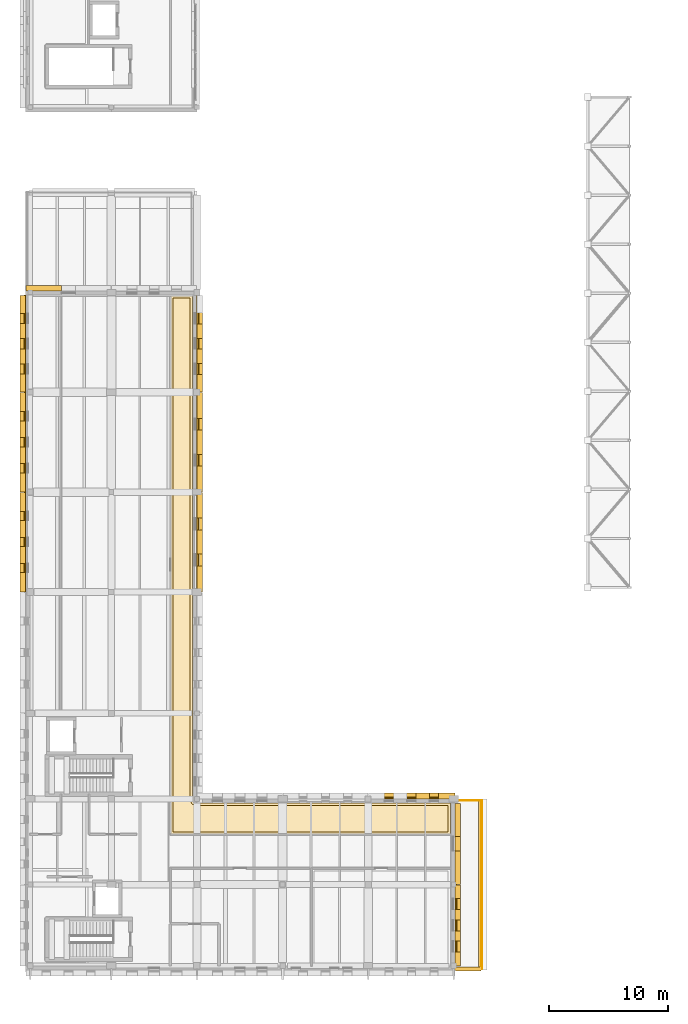
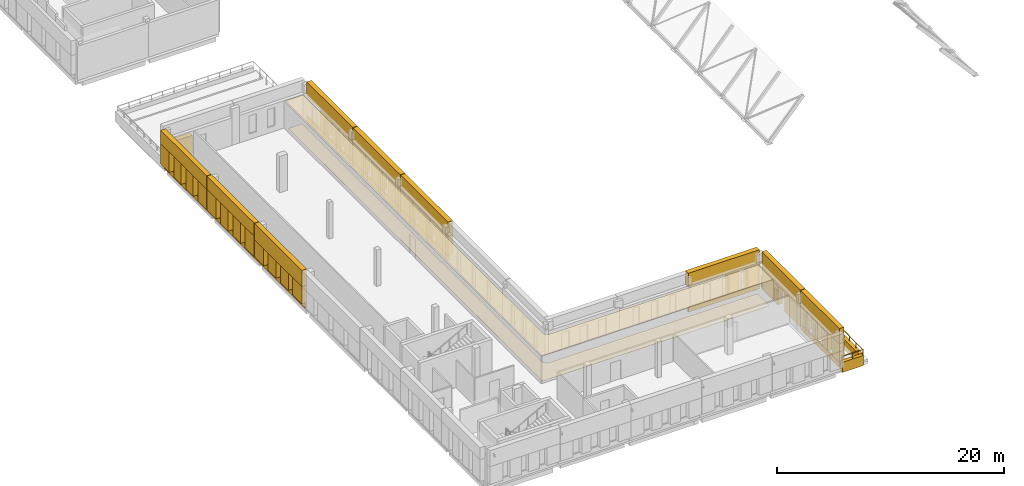
# One storey, part 30 of 34: 51 coverings, 1 railing.
"""IFC4 building model written with IfcOpenShell, lengths in metres."""

from ifc_helpers import new_model, si_unit, direction, frame, origin, origin_2d, place, context, subcontext, project, spatial, polyline, circle, outline, extrude, material, layer, layer_set, type_object, element, save


model = new_model("IFC4")

# Units and contexts
model_context = context("Model", 3, precision=1e-05, world=origin(), true_north=direction((0.0, 1.0)))
body_context = subcontext(model_context, "Body", "Model", "MODEL_VIEW")
ifc_project = project(units=[si_unit("LENGTHUNIT", "METRE"), si_unit("AREAUNIT", "SQUARE_METRE"), si_unit("VOLUMEUNIT", "CUBIC_METRE"), si_unit("PLANEANGLEUNIT", "RADIAN"), si_unit("MASSUNIT", "GRAM", prefix="KILO")], contexts=[model_context])

# Site, building, storey
site_placement = place(None, origin())
site = spatial("IfcSite", under=ifc_project, at=site_placement, CompositionType="ELEMENT")
building_placement = place(site_placement, origin())
building = spatial("IfcBuilding", under=site, at=building_placement, Name="Vardoun Plaza Health Centre", CompositionType="ELEMENT")
storey_placement = place(building_placement, frame((0.0, 0.0, 12.89990234375)))
storey = spatial("IfcBuildingStorey", under=building, at=storey_placement, Name="L03", CompositionType="ELEMENT", Elevation=12.89990234375)

# Coverings
ifc_material_1 = material(Name="Hygienic Acoustic Mineral-Fibre Ceiling", Category="concrete")
ifc_layer_1 = layer(ifc_material_1, 0.02490234375)
ifc_layer_set_1 = layer_set([ifc_layer_1], Name="Hygienic Acoustic Mineral-Fibre Ceiling")
covering_type_1 = type_object("IfcCoveringType", Name="CL-01", PredefinedType="CEILING", material=ifc_layer_set_1)
covering_1_placement = place(storey_placement, frame((0.0, 0.0, 2.880126953125)))
element("IfcCovering", 1, at=covering_1_placement, inside=storey, type_object=covering_type_1, Name="Specialist Consulting Room 32 Acoustic Ceiling", PredefinedType="CEILING", context=body_context, shape_type="SweptSolid", body=[
    extrude(outline(polyline([(18.5400390625, 61.239990234375), (18.5400390625, 18.89990234375), (18.5400390625, 18.8994140625), (18.541748046875, 18.865234375), (18.541748046875, 18.8642578125), (18.546875, 18.830078125), (18.547119140625, 18.829345703125), (18.555419921875, 18.7958984375), (18.5556640625, 18.794921875), (18.567138671875, 18.7626953125), (18.567626953125, 18.76171875), (18.582275390625, 18.730712890625), (18.582763671875, 18.729736328125), (18.600341796875, 18.700439453125), (18.60107421875, 18.69970703125), (18.621337890625, 18.672119140625), (18.6220703125, 18.67138671875), (18.64501953125, 18.645751953125), (18.645751953125, 18.64501953125), (18.67138671875, 18.6220703125), (18.672119140625, 18.621337890625), (18.69970703125, 18.60107421875), (18.700439453125, 18.600341796875), (18.729736328125, 18.582763671875), (18.730712890625, 18.582275390625), (18.76171875, 18.567626953125), (18.7626953125, 18.567138671875), (18.794921875, 18.5556640625), (18.7958984375, 18.555419921875), (18.829345703125, 18.547119140625), (18.830078125, 18.546875), (18.8642578125, 18.541748046875), (18.865234375, 18.541748046875), (18.8994140625, 18.5400390625), (18.89990234375, 18.5400390625), (40.239990234375, 18.5400390625), (40.239990234375, 15.929931640625), (16.679931640625, 15.929931640625), (16.679931640625, 61.239990234375), (18.5400390625, 61.239990234375)])), origin(), (0.0, 0.0, 1.0), 0.02490234375),
])
ifc_material_2 = material(Name="Pale Limestone Concrete C35/45", Category="masonry")
ifc_layer_2 = layer(ifc_material_2, 0.080078125)
ifc_layer_set_2 = layer_set([ifc_layer_2], Name="Pale Limestone Concrete C35/45")
covering_type_2 = type_object("IfcCoveringType", Name="CL-EXT1", PredefinedType="CLADDING", material=ifc_layer_set_2)
covering_2_placement = place(storey_placement, frame((0.0, 0.0, 0.190185546875)))
element("IfcCovering", 2, at=covering_2_placement, inside=storey, type_object=covering_type_2, Name="V2 L03 Deep-Punched Slot Concrete Reveal Pier 321", PredefinedType="CLADDING", context=body_context, shape_type="SweptSolid", body=[
    extrude(outline(polyline([(4.52001953125, 61.60009765625), (7.5048828125, 61.60009765625), (7.5048828125, 62.080078125), (4.52001953125, 62.080078125), (4.52001953125, 61.60009765625)])), origin(), (0.0, 0.0, 1.0), 2.02001953125),
])
covering_3_placement = place(storey_placement, origin())
element("IfcCovering", 3, at=covering_3_placement, inside=storey, type_object=covering_type_2, Name="V2 L03 Pale Concrete Sill Band 329", PredefinedType="CLADDING", context=body_context, shape_type="SweptSolid", body=[
    extrude(outline(polyline([(18.89990234375, 61.235107421875), (18.89990234375, 53.1201171875), (19.0400390625, 53.1201171875), (19.0400390625, 61.235107421875), (18.89990234375, 61.235107421875)])), origin(), (0.0, 0.0, 1.0), 0.550048828125),
])
covering_4_placement = place(storey_placement, frame((0.0, 0.0, 2.670166015625)))
element("IfcCovering", 4, at=covering_4_placement, inside=storey, type_object=covering_type_2, Name="V2 L03 Sculpted Concrete Eyebrow Hood 330", PredefinedType="CLADDING", context=body_context, shape_type="SweptSolid", body=[
    extrude(outline(polyline([(18.89990234375, 61.235107421875), (18.89990234375, 53.1201171875), (19.3798828125, 53.1201171875), (19.3798828125, 61.235107421875), (18.89990234375, 61.235107421875)])), origin(), (0.0, 0.0, 1.0), 1.530029296875),
])
covering_5_placement = place(storey_placement, frame((0.0, 0.0, 0.550048828125)))
element("IfcCovering", 5, at=covering_5_placement, inside=storey, type_object=covering_type_2, Name="V2 L03 Deep-Punched Slot Concrete Reveal Pier 332", PredefinedType="CLADDING", context=body_context, shape_type="SweptSolid", body=[
    extrude(outline(polyline([(18.89990234375, 58.837890625), (18.89990234375, 57.637451171875), (19.3798828125, 57.637451171875), (19.3798828125, 58.837890625), (18.89990234375, 58.837890625)])), origin(), (0.0, 0.0, 1.0), 2.1201171875),
])
covering_6_placement = place(storey_placement, frame((0.0, 0.0, 0.550048828125)))
element("IfcCovering", 6, at=covering_6_placement, inside=storey, type_object=covering_type_2, Name="V2 L03 Deep-Punched Slot Concrete Reveal Pier 333", PredefinedType="CLADDING", context=body_context, shape_type="SweptSolid", body=[
    extrude(outline(polyline([(18.89990234375, 56.717529296875), (18.89990234375, 55.51708984375), (19.3798828125, 55.51708984375), (19.3798828125, 56.717529296875), (18.89990234375, 56.717529296875)])), origin(), (0.0, 0.0, 1.0), 2.1201171875),
])
covering_7_placement = place(storey_placement, frame((0.0, 0.0, 0.550048828125)))
element("IfcCovering", 7, at=covering_7_placement, inside=storey, type_object=covering_type_2, Name="V2 L03 Deep-Punched Slot Concrete Reveal Pier 334", PredefinedType="CLADDING", context=body_context, shape_type="SweptSolid", body=[
    extrude(outline(polyline([(18.89990234375, 54.59716796875), (18.89990234375, 53.1201171875), (19.3798828125, 53.1201171875), (19.3798828125, 54.59716796875), (18.89990234375, 54.59716796875)])), origin(), (0.0, 0.0, 1.0), 2.1201171875),
])
covering_8_placement = place(storey_placement, origin())
element("IfcCovering", 8, at=covering_8_placement, inside=storey, type_object=covering_type_2, Name="V2 L03 Pale Concrete Sill Band 335", PredefinedType="CLADDING", context=body_context, shape_type="SweptSolid", body=[
    extrude(outline(polyline([(18.89990234375, 53.080078125), (18.89990234375, 44.719970703125), (19.0400390625, 44.719970703125), (19.0400390625, 53.080078125), (18.89990234375, 53.080078125)])), origin(), (0.0, 0.0, 1.0), 0.550048828125),
])
covering_9_placement = place(storey_placement, frame((0.0, 0.0, 2.650146484375)))
element("IfcCovering", 9, at=covering_9_placement, inside=storey, type_object=covering_type_2, Name="V2 L03 Sculpted Concrete Eyebrow Hood 336", PredefinedType="CLADDING", context=body_context, shape_type="SweptSolid", body=[
    extrude(outline(polyline([(18.89990234375, 53.080078125), (18.89990234375, 44.719970703125), (19.3798828125, 44.719970703125), (19.3798828125, 53.080078125), (18.89990234375, 53.080078125)])), origin(), (0.0, 0.0, 1.0), 1.550048828125),
])
covering_10_placement = place(storey_placement, frame((0.0, 0.0, 0.550048828125)))
element("IfcCovering", 10, at=covering_10_placement, inside=storey, type_object=covering_type_2, Name="V2 L03 Deep-Punched Slot Concrete Reveal Pier 337", PredefinedType="CLADDING", context=body_context, shape_type="SweptSolid", body=[
    extrude(outline(polyline([(18.89990234375, 53.080078125), (18.89990234375, 50.89208984375), (19.3798828125, 50.89208984375), (19.3798828125, 53.080078125), (18.89990234375, 53.080078125)])), origin(), (0.0, 0.0, 1.0), 2.10009765625),
])
covering_11_placement = place(storey_placement, frame((0.0, 0.0, 0.550048828125)))
element("IfcCovering", 11, at=covering_11_placement, inside=storey, type_object=covering_type_2, Name="V2 L03 Deep-Punched Slot Concrete Reveal Pier 338", PredefinedType="CLADDING", context=body_context, shape_type="SweptSolid", body=[
    extrude(outline(polyline([(18.89990234375, 49.931884765625), (18.89990234375, 47.867919921875), (19.3798828125, 47.867919921875), (19.3798828125, 49.931884765625), (18.89990234375, 49.931884765625)])), origin(), (0.0, 0.0, 1.0), 2.10009765625),
])
covering_12_placement = place(storey_placement, frame((0.0, 0.0, 0.550048828125)))
element("IfcCovering", 12, at=covering_12_placement, inside=storey, type_object=covering_type_2, Name="V2 L03 Deep-Punched Slot Concrete Reveal Pier 339", PredefinedType="CLADDING", context=body_context, shape_type="SweptSolid", body=[
    extrude(outline(polyline([(18.89990234375, 46.907958984375), (18.89990234375, 44.719970703125), (19.3798828125, 44.719970703125), (19.3798828125, 46.907958984375), (18.89990234375, 46.907958984375)])), origin(), (0.0, 0.0, 1.0), 2.10009765625),
])
covering_13_placement = place(storey_placement, origin())
element("IfcCovering", 13, at=covering_13_placement, inside=storey, type_object=covering_type_2, Name="V2 L03 Pale Concrete Sill Band 340", PredefinedType="CLADDING", context=body_context, shape_type="SweptSolid", body=[
    extrude(outline(polyline([(18.89990234375, 44.679931640625), (18.89990234375, 36.320068359375), (19.0400390625, 36.320068359375), (19.0400390625, 44.679931640625), (18.89990234375, 44.679931640625)])), origin(), (0.0, 0.0, 1.0), 0.550048828125),
])
covering_14_placement = place(storey_placement, frame((0.0, 0.0, 2.650146484375)))
element("IfcCovering", 14, at=covering_14_placement, inside=storey, type_object=covering_type_2, Name="V2 L03 Sculpted Concrete Eyebrow Hood 341", PredefinedType="CLADDING", context=body_context, shape_type="SweptSolid", body=[
    extrude(outline(polyline([(18.89990234375, 44.679931640625), (18.89990234375, 36.320068359375), (19.3798828125, 36.320068359375), (19.3798828125, 44.679931640625), (18.89990234375, 44.679931640625)])), origin(), (0.0, 0.0, 1.0), 1.550048828125),
])
covering_15_placement = place(storey_placement, frame((0.0, 0.0, 0.550048828125)))
element("IfcCovering", 15, at=covering_15_placement, inside=storey, type_object=covering_type_2, Name="V2 L03 Deep-Punched Slot Concrete Reveal Pier 342", PredefinedType="CLADDING", context=body_context, shape_type="SweptSolid", body=[
    extrude(outline(polyline([(18.89990234375, 44.679931640625), (18.89990234375, 42.511962890625), (19.3798828125, 42.511962890625), (19.3798828125, 44.679931640625), (18.89990234375, 44.679931640625)])), origin(), (0.0, 0.0, 1.0), 2.10009765625),
])
covering_16_placement = place(storey_placement, frame((0.0, 0.0, 0.550048828125)))
element("IfcCovering", 16, at=covering_16_placement, inside=storey, type_object=covering_type_2, Name="V2 L03 Deep-Punched Slot Concrete Reveal Pier 343", PredefinedType="CLADDING", context=body_context, shape_type="SweptSolid", body=[
    extrude(outline(polyline([(18.89990234375, 41.511962890625), (18.89990234375, 39.488037109375), (19.3798828125, 39.488037109375), (19.3798828125, 41.511962890625), (18.89990234375, 41.511962890625)])), origin(), (0.0, 0.0, 1.0), 2.10009765625),
])
covering_17_placement = place(storey_placement, frame((0.0, 0.0, 0.550048828125)))
element("IfcCovering", 17, at=covering_17_placement, inside=storey, type_object=covering_type_2, Name="V2 L03 Deep-Punched Slot Concrete Reveal Pier 344", PredefinedType="CLADDING", context=body_context, shape_type="SweptSolid", body=[
    extrude(outline(polyline([(18.89990234375, 38.488037109375), (18.89990234375, 36.320068359375), (19.3798828125, 36.320068359375), (19.3798828125, 38.488037109375), (18.89990234375, 38.488037109375)])), origin(), (0.0, 0.0, 1.0), 2.10009765625),
])
covering_18_placement = place(storey_placement, origin())
element("IfcCovering", 18, at=covering_18_placement, inside=storey, type_object=covering_type_2, Name="V2 L03 Pale Concrete Sill Band 369", PredefinedType="CLADDING", context=body_context, shape_type="SweptSolid", body=[
    extrude(outline(polyline([(33.320068359375, 18.89990234375), (40.580078125, 18.89990234375), (40.580078125, 19.0400390625), (33.320068359375, 19.0400390625), (33.320068359375, 18.89990234375)])), origin(), (0.0, 0.0, 1.0), 0.550048828125),
])
covering_19_placement = place(storey_placement, frame((0.0, 0.0, 2.690185546875)))
element("IfcCovering", 19, at=covering_19_placement, inside=storey, type_object=covering_type_2, Name="V2 L03 Sculpted Concrete Eyebrow Hood 370", PredefinedType="CLADDING", context=body_context, shape_type="SweptSolid", body=[
    extrude(outline(polyline([(33.320068359375, 18.89990234375), (40.580078125, 18.89990234375), (40.580078125, 19.3798828125), (33.320068359375, 19.3798828125), (33.320068359375, 18.89990234375)])), origin(), (0.0, 0.0, 1.0), 1.510009765625),
])
covering_20_placement = place(storey_placement, frame((0.0, 0.0, 0.550048828125)))
element("IfcCovering", 20, at=covering_20_placement, inside=storey, type_object=covering_type_2, Name="V2 L03 Deep-Punched Slot Concrete Reveal Pier 373", PredefinedType="CLADDING", context=body_context, shape_type="SweptSolid", body=[
    extrude(outline(polyline([(37.324951171875, 18.89990234375), (38.472900390625, 18.89990234375), (38.472900390625, 19.3798828125), (37.324951171875, 19.3798828125), (37.324951171875, 18.89990234375)])), origin(), (0.0, 0.0, 1.0), 2.14013671875),
])
covering_21_placement = place(storey_placement, frame((0.0, 0.0, 0.550048828125)))
element("IfcCovering", 21, at=covering_21_placement, inside=storey, type_object=covering_type_2, Name="V2 L03 Deep-Punched Slot Concrete Reveal Pier 374", PredefinedType="CLADDING", context=body_context, shape_type="SweptSolid", body=[
    extrude(outline(polyline([(39.222900390625, 18.89990234375), (40.580078125, 18.89990234375), (40.580078125, 19.3798828125), (39.222900390625, 19.3798828125), (39.222900390625, 18.89990234375)])), origin(), (0.0, 0.0, 1.0), 2.14013671875),
])
covering_22_placement = place(storey_placement, frame((0.0, 0.0, 2.210205078125)))
element("IfcCovering", 22, at=covering_22_placement, inside=storey, type_object=covering_type_2, Name="V2 L03 Sculpted Concrete Eyebrow Hood 375", PredefinedType="CLADDING", context=body_context, shape_type="SweptSolid", body=[
    extrude(outline(polyline([(40.60009765625, 18.534912109375), (40.60009765625, 11.719970703125), (41.080078125, 11.719970703125), (41.080078125, 18.534912109375), (40.60009765625, 18.534912109375)])), origin(), (0.0, 0.0, 1.0), 1.989990234375),
])
covering_23_placement = place(storey_placement, frame((0.0, 0.0, 0.190185546875)))
element("IfcCovering", 23, at=covering_23_placement, inside=storey, type_object=covering_type_2, Name="V2 L03 Deep-Punched Slot Concrete Reveal Pier 376", PredefinedType="CLADDING", context=body_context, shape_type="SweptSolid", body=[
    extrude(outline(polyline([(40.60009765625, 18.534912109375), (40.60009765625, 15.722412109375), (41.080078125, 15.722412109375), (41.080078125, 18.534912109375), (40.60009765625, 18.534912109375)])), origin(), (0.0, 0.0, 1.0), 2.02001953125),
])
covering_24_placement = place(storey_placement, frame((0.0, 0.0, 0.190185546875)))
element("IfcCovering", 24, at=covering_24_placement, inside=storey, type_object=covering_type_2, Name="V2 L03 Deep-Punched Slot Concrete Reveal Pier 377", PredefinedType="CLADDING", context=body_context, shape_type="SweptSolid", body=[
    extrude(outline(polyline([(40.60009765625, 14.532470703125), (40.60009765625, 11.719970703125), (41.080078125, 11.719970703125), (41.080078125, 14.532470703125), (40.60009765625, 14.532470703125)])), origin(), (0.0, 0.0, 1.0), 2.02001953125),
])
covering_25_placement = place(storey_placement, origin())
element("IfcCovering", 25, at=covering_25_placement, inside=storey, type_object=covering_type_2, Name="V2 L03 Pale Concrete Sill Band 378", PredefinedType="CLADDING", context=body_context, shape_type="SweptSolid", body=[
    extrude(outline(polyline([(40.60009765625, 11.679931640625), (40.60009765625, 4.864990234375), (40.739990234375, 4.864990234375), (40.739990234375, 11.679931640625), (40.60009765625, 11.679931640625)])), origin(), (0.0, 0.0, 1.0), 0.550048828125),
])
covering_26_placement = place(storey_placement, frame((0.0, 0.0, 2.570068359375)))
element("IfcCovering", 26, at=covering_26_placement, inside=storey, type_object=covering_type_2, Name="V2 L03 Sculpted Concrete Eyebrow Hood 379", PredefinedType="CLADDING", context=body_context, shape_type="SweptSolid", body=[
    extrude(outline(polyline([(40.60009765625, 11.679931640625), (40.60009765625, 4.864990234375), (41.080078125, 4.864990234375), (41.080078125, 11.679931640625), (40.60009765625, 11.679931640625)])), origin(), (0.0, 0.0, 1.0), 1.630126953125),
])
covering_27_placement = place(storey_placement, frame((0.0, 0.0, 0.550048828125)))
element("IfcCovering", 27, at=covering_27_placement, inside=storey, type_object=covering_type_2, Name="V2 L03 Deep-Punched Slot Concrete Reveal Pier 380", PredefinedType="CLADDING", context=body_context, shape_type="SweptSolid", body=[
    extrude(outline(polyline([(40.60009765625, 11.679931640625), (40.60009765625, 10.519775390625), (41.080078125, 10.519775390625), (41.080078125, 11.679931640625), (40.60009765625, 11.679931640625)])), origin(), (0.0, 0.0, 1.0), 2.02001953125),
])
covering_28_placement = place(storey_placement, frame((0.0, 0.0, 0.550048828125)))
element("IfcCovering", 28, at=covering_28_placement, inside=storey, type_object=covering_type_2, Name="V2 L03 Deep-Punched Slot Concrete Reveal Pier 381", PredefinedType="CLADDING", context=body_context, shape_type="SweptSolid", body=[
    extrude(outline(polyline([(40.60009765625, 9.58984375), (40.60009765625, 8.737548828125), (41.080078125, 8.737548828125), (41.080078125, 9.58984375), (40.60009765625, 9.58984375)])), origin(), (0.0, 0.0, 1.0), 2.02001953125),
])
covering_29_placement = place(storey_placement, frame((0.0, 0.0, 0.550048828125)))
element("IfcCovering", 29, at=covering_29_placement, inside=storey, type_object=covering_type_2, Name="V2 L03 Deep-Punched Slot Concrete Reveal Pier 382", PredefinedType="CLADDING", context=body_context, shape_type="SweptSolid", body=[
    extrude(outline(polyline([(40.60009765625, 7.8076171875), (40.60009765625, 6.955078125), (41.080078125, 6.955078125), (41.080078125, 7.8076171875), (40.60009765625, 7.8076171875)])), origin(), (0.0, 0.0, 1.0), 2.02001953125),
])
covering_30_placement = place(storey_placement, frame((0.0, 0.0, 0.550048828125)))
element("IfcCovering", 30, at=covering_30_placement, inside=storey, type_object=covering_type_2, Name="V2 L03 Deep-Punched Slot Concrete Reveal Pier 383", PredefinedType="CLADDING", context=body_context, shape_type="SweptSolid", body=[
    extrude(outline(polyline([(40.60009765625, 6.025146484375), (40.60009765625, 4.864990234375), (41.080078125, 4.864990234375), (41.080078125, 6.025146484375), (40.60009765625, 6.025146484375)])), origin(), (0.0, 0.0, 1.0), 2.02001953125),
])
covering_31_placement = place(storey_placement, origin())
element("IfcCovering", 31, at=covering_31_placement, inside=storey, type_object=covering_type_2, Name="V2 L03 Pale Concrete Sill Band 438", PredefinedType="CLADDING", context=body_context, shape_type="SweptSolid", body=[
    extrude(outline(polyline([(4.5, 36.320068359375), (4.5, 44.679931640625), (4.360107421875, 44.679931640625), (4.360107421875, 36.320068359375), (4.5, 36.320068359375)])), origin(), (0.0, 0.0, 1.0), 0.60009765625),
])
covering_32_placement = place(storey_placement, frame((0.0, 0.0, 2.4501953125)))
element("IfcCovering", 32, at=covering_32_placement, inside=storey, type_object=covering_type_2, Name="V2 L03 Sculpted Concrete Eyebrow Hood 439", PredefinedType="CLADDING", context=body_context, shape_type="SweptSolid", body=[
    extrude(outline(polyline([(4.5, 36.320068359375), (4.5, 44.679931640625), (4.02001953125, 44.679931640625), (4.02001953125, 36.320068359375), (4.5, 36.320068359375)])), origin(), (0.0, 0.0, 1.0), 1.75),
])
covering_33_placement = place(storey_placement, frame((0.0, 0.0, 0.60009765625)))
element("IfcCovering", 33, at=covering_33_placement, inside=storey, type_object=covering_type_2, Name="V2 L03 Deep-Punched Slot Concrete Reveal Pier 440", PredefinedType="CLADDING", context=body_context, shape_type="SweptSolid", body=[
    extrude(outline(polyline([(4.5, 36.320068359375), (4.5, 37.93603515625), (4.02001953125, 37.93603515625), (4.02001953125, 36.320068359375), (4.5, 36.320068359375)])), origin(), (0.0, 0.0, 1.0), 1.85009765625),
])
covering_34_placement = place(storey_placement, frame((0.0, 0.0, 0.60009765625)))
element("IfcCovering", 34, at=covering_34_placement, inside=storey, type_object=covering_type_2, Name="V2 L03 Deep-Punched Slot Concrete Reveal Pier 441", PredefinedType="CLADDING", context=body_context, shape_type="SweptSolid", body=[
    extrude(outline(polyline([(4.5, 38.696044921875), (4.5, 40.1201171875), (4.02001953125, 40.1201171875), (4.02001953125, 38.696044921875), (4.5, 38.696044921875)])), origin(), (0.0, 0.0, 1.0), 1.85009765625),
])
covering_35_placement = place(storey_placement, frame((0.0, 0.0, 0.60009765625)))
element("IfcCovering", 35, at=covering_35_placement, inside=storey, type_object=covering_type_2, Name="V2 L03 Deep-Punched Slot Concrete Reveal Pier 442", PredefinedType="CLADDING", context=body_context, shape_type="SweptSolid", body=[
    extrude(outline(polyline([(4.5, 40.8798828125), (4.5, 42.303955078125), (4.02001953125, 42.303955078125), (4.02001953125, 40.8798828125), (4.5, 40.8798828125)])), origin(), (0.0, 0.0, 1.0), 1.85009765625),
])
covering_36_placement = place(storey_placement, frame((0.0, 0.0, 0.60009765625)))
element("IfcCovering", 36, at=covering_36_placement, inside=storey, type_object=covering_type_2, Name="V2 L03 Deep-Punched Slot Concrete Reveal Pier 443", PredefinedType="CLADDING", context=body_context, shape_type="SweptSolid", body=[
    extrude(outline(polyline([(4.5, 43.06396484375), (4.5, 44.679931640625), (4.02001953125, 44.679931640625), (4.02001953125, 43.06396484375), (4.5, 43.06396484375)])), origin(), (0.0, 0.0, 1.0), 1.85009765625),
])
covering_37_placement = place(storey_placement, origin())
element("IfcCovering", 37, at=covering_37_placement, inside=storey, type_object=covering_type_2, Name="V2 L03 Pale Concrete Sill Band 444", PredefinedType="CLADDING", context=body_context, shape_type="SweptSolid", body=[
    extrude(outline(polyline([(4.5, 44.719970703125), (4.5, 53.080078125), (4.360107421875, 53.080078125), (4.360107421875, 44.719970703125), (4.5, 44.719970703125)])), origin(), (0.0, 0.0, 1.0), 0.550048828125),
])
covering_38_placement = place(storey_placement, frame((0.0, 0.0, 2.800048828125)))
element("IfcCovering", 38, at=covering_38_placement, inside=storey, type_object=covering_type_2, Name="V2 L03 Sculpted Concrete Eyebrow Hood 445", PredefinedType="CLADDING", context=body_context, shape_type="SweptSolid", body=[
    extrude(outline(polyline([(4.5, 44.719970703125), (4.5, 53.080078125), (4.02001953125, 53.080078125), (4.02001953125, 44.719970703125), (4.5, 44.719970703125)])), origin(), (0.0, 0.0, 1.0), 1.400146484375),
])
covering_39_placement = place(storey_placement, frame((0.0, 0.0, 0.550048828125)))
element("IfcCovering", 39, at=covering_39_placement, inside=storey, type_object=covering_type_2, Name="V2 L03 Deep-Punched Slot Concrete Reveal Pier 446", PredefinedType="CLADDING", context=body_context, shape_type="SweptSolid", body=[
    extrude(outline(polyline([(4.5, 44.719970703125), (4.5, 46.305908203125), (4.02001953125, 46.305908203125), (4.02001953125, 44.719970703125), (4.5, 44.719970703125)])), origin(), (0.0, 0.0, 1.0), 2.25),
])
covering_40_placement = place(storey_placement, frame((0.0, 0.0, 0.550048828125)))
element("IfcCovering", 40, at=covering_40_placement, inside=storey, type_object=covering_type_2, Name="V2 L03 Deep-Punched Slot Concrete Reveal Pier 447", PredefinedType="CLADDING", context=body_context, shape_type="SweptSolid", body=[
    extrude(outline(polyline([(4.5, 47.1259765625), (4.5, 48.489990234375), (4.02001953125, 48.489990234375), (4.02001953125, 47.1259765625), (4.5, 47.1259765625)])), origin(), (0.0, 0.0, 1.0), 2.25),
])
covering_41_placement = place(storey_placement, frame((0.0, 0.0, 0.550048828125)))
element("IfcCovering", 41, at=covering_41_placement, inside=storey, type_object=covering_type_2, Name="V2 L03 Deep-Punched Slot Concrete Reveal Pier 448", PredefinedType="CLADDING", context=body_context, shape_type="SweptSolid", body=[
    extrude(outline(polyline([(4.5, 49.31005859375), (4.5, 50.674072265625), (4.02001953125, 50.674072265625), (4.02001953125, 49.31005859375), (4.5, 49.31005859375)])), origin(), (0.0, 0.0, 1.0), 2.25),
])
covering_42_placement = place(storey_placement, frame((0.0, 0.0, 0.550048828125)))
element("IfcCovering", 42, at=covering_42_placement, inside=storey, type_object=covering_type_2, Name="V2 L03 Deep-Punched Slot Concrete Reveal Pier 449", PredefinedType="CLADDING", context=body_context, shape_type="SweptSolid", body=[
    extrude(outline(polyline([(4.5, 51.493896484375), (4.5, 53.080078125), (4.02001953125, 53.080078125), (4.02001953125, 51.493896484375), (4.5, 51.493896484375)])), origin(), (0.0, 0.0, 1.0), 2.25),
])
covering_43_placement = place(storey_placement, origin())
element("IfcCovering", 43, at=covering_43_placement, inside=storey, type_object=covering_type_2, Name="V2 L03 Pale Concrete Sill Band 450", PredefinedType="CLADDING", context=body_context, shape_type="SweptSolid", body=[
    extrude(outline(polyline([(4.5, 53.1201171875), (4.5, 61.235107421875), (4.360107421875, 61.235107421875), (4.360107421875, 53.1201171875), (4.5, 53.1201171875)])), origin(), (0.0, 0.0, 1.0), 0.550048828125),
])
covering_44_placement = place(storey_placement, frame((0.0, 0.0, 2.75)))
element("IfcCovering", 44, at=covering_44_placement, inside=storey, type_object=covering_type_2, Name="V2 L03 Sculpted Concrete Eyebrow Hood 451", PredefinedType="CLADDING", context=body_context, shape_type="SweptSolid", body=[
    extrude(outline(polyline([(4.5, 53.1201171875), (4.5, 61.235107421875), (4.02001953125, 61.235107421875), (4.02001953125, 53.1201171875), (4.5, 53.1201171875)])), origin(), (0.0, 0.0, 1.0), 1.4501953125),
])
covering_45_placement = place(storey_placement, frame((0.0, 0.0, 0.550048828125)))
element("IfcCovering", 45, at=covering_45_placement, inside=storey, type_object=covering_type_2, Name="V2 L03 Deep-Punched Slot Concrete Reveal Pier 452", PredefinedType="CLADDING", context=body_context, shape_type="SweptSolid", body=[
    extrude(outline(polyline([(4.5, 53.1201171875), (4.5, 54.627197265625), (4.02001953125, 54.627197265625), (4.02001953125, 53.1201171875), (4.5, 53.1201171875)])), origin(), (0.0, 0.0, 1.0), 2.199951171875),
])
covering_46_placement = place(storey_placement, frame((0.0, 0.0, 0.550048828125)))
element("IfcCovering", 46, at=covering_46_placement, inside=storey, type_object=covering_type_2, Name="V2 L03 Deep-Punched Slot Concrete Reveal Pier 453", PredefinedType="CLADDING", context=body_context, shape_type="SweptSolid", body=[
    extrude(outline(polyline([(4.5, 55.4873046875), (4.5, 56.74755859375), (4.02001953125, 56.74755859375), (4.02001953125, 55.4873046875), (4.5, 55.4873046875)])), origin(), (0.0, 0.0, 1.0), 2.199951171875),
])
covering_47_placement = place(storey_placement, frame((0.0, 0.0, 0.550048828125)))
element("IfcCovering", 47, at=covering_47_placement, inside=storey, type_object=covering_type_2, Name="V2 L03 Deep-Punched Slot Concrete Reveal Pier 454", PredefinedType="CLADDING", context=body_context, shape_type="SweptSolid", body=[
    extrude(outline(polyline([(4.5, 57.607421875), (4.5, 58.867919921875), (4.02001953125, 58.867919921875), (4.02001953125, 57.607421875), (4.5, 57.607421875)])), origin(), (0.0, 0.0, 1.0), 2.199951171875),
])
covering_48_placement = place(storey_placement, frame((0.0, 0.0, 0.550048828125)))
element("IfcCovering", 48, at=covering_48_placement, inside=storey, type_object=covering_type_2, Name="V2 L03 Deep-Punched Slot Concrete Reveal Pier 455", PredefinedType="CLADDING", context=body_context, shape_type="SweptSolid", body=[
    extrude(outline(polyline([(4.5, 59.727783203125), (4.5, 61.235107421875), (4.02001953125, 61.235107421875), (4.02001953125, 59.727783203125), (4.5, 59.727783203125)])), origin(), (0.0, 0.0, 1.0), 2.199951171875),
])
covering_49_placement = place(storey_placement, frame((0.0, 0.0, -0.27978515625)))
element("IfcCovering", 49, at=covering_49_placement, inside=storey, type_object=covering_type_2, Name="V2 L03 Sculpted White Terrace Planter Ribbon S2", PredefinedType="CLADDING", context=body_context, shape_type="SweptSolid", body=[
    extrude(outline(polyline([(40.64990234375, 4.419921875), (42.800048828125, 4.419921875), (42.800048828125, 4.780029296875), (40.64990234375, 4.780029296875), (40.64990234375, 4.419921875)])), origin(), (0.0, 0.0, 1.0), 1.08984375),
])
covering_50_placement = place(storey_placement, frame((0.0, 0.0, -0.27978515625)))
element("IfcCovering", 50, at=covering_50_placement, inside=storey, type_object=covering_type_2, Name="V2 L03 Sculpted White Terrace Planter Ribbon E2", PredefinedType="CLADDING", context=body_context, shape_type="SweptSolid", body=[
    extrude(outline(polyline([(42.580078125, 4.780029296875), (42.93994140625, 4.780029296875), (42.93994140625, 18.85009765625), (42.580078125, 18.85009765625), (42.580078125, 4.780029296875)])), origin(), (0.0, 0.0, 1.0), 1.08984375),
])
ifc_material_3 = material(Name="Seamless Conductive Clinical Vinyl Flooring", Category="concrete")
ifc_layer_3 = layer(ifc_material_3, 0.014892578125)
ifc_layer_set_3 = layer_set([ifc_layer_3], Name="Seamless Conductive Clinical Vinyl Flooring")
covering_type_3 = type_object("IfcCoveringType", Name="FL-01", PredefinedType="FLOORING", material=ifc_layer_set_3)
covering_51_placement = place(storey_placement, origin())
element("IfcCovering", 51, at=covering_51_placement, inside=storey, type_object=covering_type_3, Name="Specialist Consulting Room 32 Floor Finish", PredefinedType="FLOORING", context=body_context, shape_type="SweptSolid", body=[
    extrude(outline(polyline([(18.330078125, 61.030029296875), (18.330078125, 18.89990234375), (18.330322265625, 18.88916015625), (18.33203125, 18.854736328125), (18.333984375, 18.833740234375), (18.339111328125, 18.7998046875), (18.343505859375, 18.77783203125), (18.351806640625, 18.74462890625), (18.35791015625, 18.724609375), (18.369384765625, 18.6923828125), (18.377685546875, 18.672119140625), (18.392333984375, 18.64111328125), (18.40283203125, 18.62158203125), (18.42041015625, 18.592041015625), (18.43212890625, 18.57470703125), (18.452392578125, 18.547119140625), (18.46630859375, 18.5302734375), (18.489501953125, 18.5048828125), (18.5048828125, 18.489501953125), (18.5302734375, 18.46630859375), (18.547119140625, 18.452392578125), (18.57470703125, 18.43212890625), (18.592041015625, 18.42041015625), (18.62158203125, 18.40283203125), (18.64111328125, 18.392333984375), (18.672119140625, 18.377685546875), (18.6923828125, 18.369384765625), (18.724609375, 18.35791015625), (18.74462890625, 18.351806640625), (18.77783203125, 18.343505859375), (18.7998046875, 18.339111328125), (18.833740234375, 18.333984375), (18.854736328125, 18.33203125), (18.88916015625, 18.330322265625), (18.89990234375, 18.330078125), (40.030029296875, 18.330078125), (40.030029296875, 16.139892578125), (16.889892578125, 16.139892578125), (16.889892578125, 61.030029296875), (18.330078125, 61.030029296875)])), origin(), (0.0, 0.0, 1.0), 0.01513671875),
])

# Railing
ifc_material_4 = material(Name="Galvanised Steel S275JR and Laminated Glass", Category="steel")
railing_type = type_object("IfcRailingType", Name="GR-01", PredefinedType="BALUSTRADE", material=ifc_material_4)
railing_placement = place(storey_placement, frame((40.719970703125, 4.6201171875, 0.190185546875)))
element("IfcRailing", 52, at=railing_placement, inside=storey, type_object=railing_type, Name="V2 L03 Terrace Balustrade 2", PredefinedType="BALUSTRADE", context=body_context, shape_type="SweptSolid", body=[
    extrude(circle(Radius=0.02392578125, at=origin_2d()), frame((0.0, 0.0, 1.1259765625), z_axis=(1.0, 0.0, 0.0), x_axis=(0.0, 1.0, 0.0)), (0.0, 0.0, 1.0), 2.130126953125),
    extrude(circle(Radius=0.02392578125, at=origin_2d()), frame((2.130126953125, 0.0, 1.1259765625), z_axis=(0.0, 1.0, 0.0), x_axis=(-1.0, 0.0, 0.0)), (0.0, 0.0, 1.0), 14.159912109375),
    extrude(circle(Radius=0.02392578125, at=origin_2d()), frame((2.130126953125, 14.159912109375, 1.1259765625), z_axis=(-1.0, 0.0, 0.0), x_axis=(0.0, -1.0, 0.0)), (0.0, 0.0, 1.0), 2.130126953125),
    extrude(circle(Radius=0.02099609375, at=origin_2d()), origin(), (0.0, 0.0, 1.0), 1.101806640625),
    extrude(circle(Radius=0.02099609375, at=origin_2d()), frame((1.06494140625, 0.0, 0.0)), (0.0, 0.0, 1.0), 1.101806640625),
    extrude(circle(Radius=0.02099609375, at=origin_2d()), frame((2.130126953125, 0.0, 0.0)), (0.0, 0.0, 1.0), 1.101806640625),
    extrude(circle(Radius=0.02099609375, at=origin_2d()), frame((2.130126953125, 1.179931640625, 0.0)), (0.0, 0.0, 1.0), 1.101806640625),
    extrude(circle(Radius=0.02099609375, at=origin_2d()), frame((2.130126953125, 2.35986328125, 0.0)), (0.0, 0.0, 1.0), 1.101806640625),
    extrude(circle(Radius=0.02099609375, at=origin_2d()), frame((2.130126953125, 3.5400390625, 0.0)), (0.0, 0.0, 1.0), 1.101806640625),
    extrude(circle(Radius=0.02099609375, at=origin_2d()), frame((2.130126953125, 4.719970703125, 0.0)), (0.0, 0.0, 1.0), 1.101806640625),
    extrude(circle(Radius=0.02099609375, at=origin_2d()), frame((2.130126953125, 5.89990234375, 0.0)), (0.0, 0.0, 1.0), 1.101806640625),
    extrude(circle(Radius=0.02099609375, at=origin_2d()), frame((2.130126953125, 7.080078125, 0.0)), (0.0, 0.0, 1.0), 1.101806640625),
    extrude(circle(Radius=0.02099609375, at=origin_2d()), frame((2.130126953125, 8.260009765625, 0.0)), (0.0, 0.0, 1.0), 1.101806640625),
    extrude(circle(Radius=0.02099609375, at=origin_2d()), frame((2.130126953125, 9.43994140625, 0.0)), (0.0, 0.0, 1.0), 1.101806640625),
    extrude(circle(Radius=0.02099609375, at=origin_2d()), frame((2.130126953125, 10.619873046875, 0.0)), (0.0, 0.0, 1.0), 1.101806640625),
    extrude(circle(Radius=0.02099609375, at=origin_2d()), frame((2.130126953125, 11.7998046875, 0.0)), (0.0, 0.0, 1.0), 1.101806640625),
    extrude(circle(Radius=0.02099609375, at=origin_2d()), frame((2.130126953125, 12.97998046875, 0.0)), (0.0, 0.0, 1.0), 1.101806640625),
    extrude(circle(Radius=0.02099609375, at=origin_2d()), frame((2.130126953125, 14.159912109375, 0.0)), (0.0, 0.0, 1.0), 1.101806640625),
    extrude(circle(Radius=0.02099609375, at=origin_2d()), frame((1.06494140625, 14.159912109375, 0.0)), (0.0, 0.0, 1.0), 1.101806640625),
    extrude(circle(Radius=0.02099609375, at=origin_2d()), frame((0.0, 14.159912109375, 0.0)), (0.0, 0.0, 1.0), 1.101806640625),
])

save(model, "model.ifc")
